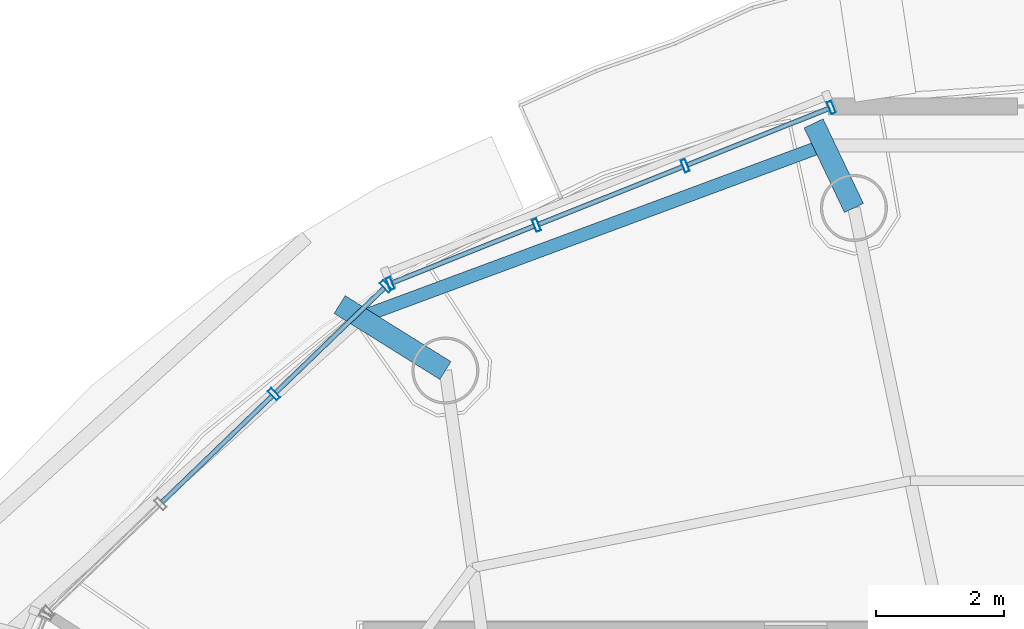
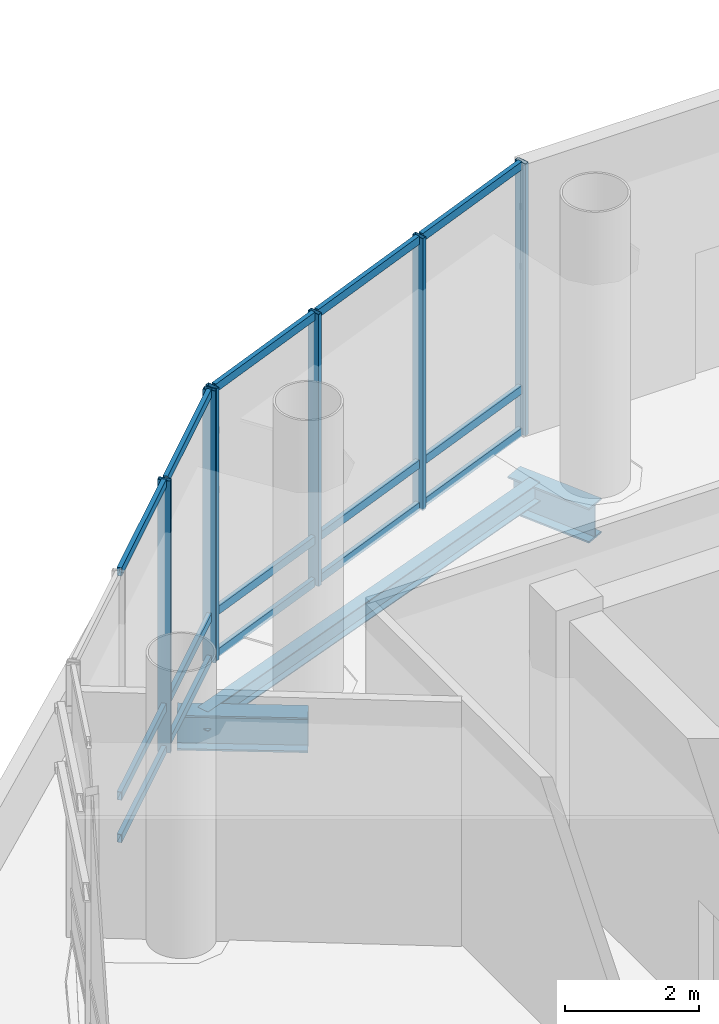
# One storey, part 11 of 22: 21 members, 3 beams, 2 elements without a shape of their own.
"""IFC4 building model written with IfcOpenShell, lengths in metres."""

from ifc_helpers import new_model, si_unit, direction, frame, origin, origin_2d, place, context, subcontext, project, spatial, hollow_rectangle, i_section, extrude, source, transform, mapped, material, material_profile, profile_set, type_object, element, aggregate, save


model = new_model("IFC4")

# Units and contexts
model_context = context("Model", 3, precision=1e-05, world=origin(), true_north=direction((-0.2419218956, 0.970295726276)))
body_context = subcontext(model_context, "Body", "Model", "MODEL_VIEW")
ifc_project = project(units=[si_unit("LENGTHUNIT", "METRE"), si_unit("AREAUNIT", "SQUARE_METRE"), si_unit("VOLUMEUNIT", "CUBIC_METRE"), si_unit("PLANEANGLEUNIT", "RADIAN"), si_unit("MASSUNIT", "GRAM", prefix="KILO")], contexts=[model_context])

# Site, building, storey
site_placement = place(None, origin())
site = spatial("IfcSite", under=ifc_project, at=site_placement, CompositionType="ELEMENT")
building_placement = place(site_placement, origin())
building = spatial("IfcBuilding", under=site, at=building_placement, Name="Cobrevalo Terracotta Tower", CompositionType="ELEMENT")
storey_placement = place(building_placement, frame((0.0, 0.0, 243.0)))
storey = spatial("IfcBuildingStorey", under=building, at=storey_placement, Name="L64", CompositionType="ELEMENT", Elevation=243.0)

# Beams
ifc_material_1 = material(Name="Steel S355", Category="steel")
ifc_material_profile_1 = material_profile(ifc_material_1, i_section(OverallWidth=0.3291015625, OverallDepth=0.635009765625, WebThickness=0.017822265625, FlangeThickness=0.031005859375, at=origin_2d()), Name="W 610x241")
ifc_profile_set_1 = profile_set([ifc_material_profile_1], Name="Steel S355")
beam_type_1 = type_object("IfcBeamType", Name="Structural Beam W 610x241 (Steel S355)", PredefinedType="BEAM", material=ifc_profile_set_1)
beam_1_placement = place(storey_placement, frame((33.9052734375, 44.84619140625, -0.767578125), z_axis=(0.430760396197, -0.902466332374, 0.0), x_axis=(0.902466332374, 0.430760396197, 0.0)))
element("IfcBeam", 1, at=beam_1_placement, inside=storey, type_object=beam_type_1, Name="L64 setback step-link girder 05", PredefinedType="BEAM", context=body_context, shape_type="SweptSolid", body=[
    extrude(i_section(OverallWidth=0.3291015625, OverallDepth=0.635009765625, WebThickness=0.017822265625, FlangeThickness=0.031005859375, at=origin_2d()), origin(), (0.0, 0.0, 1.0), 1.466796875),
])
beam_2_placement = place(storey_placement, frame((26.48291015625, 42.009033203125, -0.767578125), z_axis=(0.848546117474, -0.529121428899, 0.0), x_axis=(0.529121428899, 0.848546117474, 0.0)))
element("IfcBeam", 2, at=beam_2_placement, inside=storey, type_object=beam_type_1, Name="L64 setback step-link girder 06", PredefinedType="BEAM", context=body_context, shape_type="SweptSolid", body=[
    extrude(i_section(OverallWidth=0.3291015625, OverallDepth=0.635009765625, WebThickness=0.017822265625, FlangeThickness=0.031005859375, at=origin_2d()), origin(), (0.0, 0.0, 1.0), 1.951171875),
])
ifc_material_profile_2 = material_profile(ifc_material_1, i_section(OverallWidth=0.205078125, OverallDepth=0.35400390625, WebThickness=0.009521484375, FlangeThickness=0.016845703125, at=origin_2d()), Name="W 360x79")
ifc_profile_set_2 = profile_set([ifc_material_profile_2], Name="Steel S355")
beam_type_2 = type_object("IfcBeamType", Name="Structural Spandrel W 360x79 (Steel S355)", PredefinedType="SPANDREL", material=ifc_profile_set_2)
beam_3_placement = place(storey_placement, frame((34.06884765625, 44.503173828125, -0.626953125), z_axis=(-0.937545996665, -0.347861328892, 0.0), x_axis=(0.347861328892, -0.937545996665, 0.0)))
element("IfcBeam", 3, at=beam_3_placement, inside=storey, type_object=beam_type_2, Name="L64 perimeter ring spandrel 05", PredefinedType="SPANDREL", context=body_context, shape_type="SweptSolid", body=[
    extrude(i_section(OverallWidth=0.205078125, OverallDepth=0.35400390625, WebThickness=0.009521484375, FlangeThickness=0.016845703125, at=origin_2d()), origin(), (0.0, 0.0, 1.0), 7.74755859375),
])

# Curtain wall, members
ifc_material_2 = material(Name="Anodized aluminium", Category="aluminium")
curtain_wall_type = type_object("IfcCurtainWallType", Name="Double-height sky-lobby panoramic curtain wall CW-SK", PredefinedType="NOTDEFINED", material=ifc_material_2)
curtain_wall_1_placement = place(storey_placement, origin())
curtain_wall_1 = element("IfcCurtainWall", 4, at=curtain_wall_1_placement, inside=storey, type_object=curtain_wall_type, Name="L64 curtain wall CW-SK-L64-S05", PredefinedType="NOTDEFINED")
ifc_material_profile_3 = material_profile(ifc_material_2, hollow_rectangle(XDim=0.074951171875, YDim=0.199951171875, WallThickness=0.0048828125, at=origin_2d()), Name="CWM 75x200")
ifc_profile_set_3 = profile_set([ifc_material_profile_3], Name="Anodized aluminium")
member_type_1 = type_object("IfcMemberType", Name="Lower/mid tower unitised mullion 75x200", PredefinedType="MULLION", material=ifc_profile_set_3)
shared_shape_1 = source(origin(), body_context, "Body", "SweptSolid", [
    extrude(hollow_rectangle(XDim=0.074951171875, YDim=0.199951171875, WallThickness=0.0048828125, at=origin_2d()), origin(), (0.0, 0.0, 1.0), 4.93994140625),
])
member_1_placement = place(storey_placement, frame((34.183837890625, 45.096435546875, 0.0), z_axis=(0.0, 0.0, 1.0), x_axis=(-0.928718980883, -0.370784377433, 0.0)))
member_1 = element("IfcMember", 5, at=member_1_placement, type_object=member_type_1, Name="CW-SK-L64-S05 vertical mullion 01", PredefinedType="MULLION", context=body_context, shape_type="MappedRepresentation", body=[
    mapped(shared_shape_1, transform((0.0, 0.0, 0.0), scale=1.0)),
])
member_2_placement = place(storey_placement, frame((31.8935546875, 44.18212890625, 0.0), z_axis=(0.0, 0.0, 1.0), x_axis=(-0.928718980883, -0.370784377433, 0.0)))
member_2 = element("IfcMember", 6, at=member_2_placement, type_object=member_type_1, Name="CW-SK-L64-S05 vertical mullion 02", PredefinedType="MULLION", context=body_context, shape_type="MappedRepresentation", body=[
    mapped(shared_shape_1, transform((0.0, 0.0, 0.0), scale=1.0)),
])
member_3_placement = place(storey_placement, frame((29.566162109375, 43.252685546875, 0.0), z_axis=(0.0, 0.0, 1.0), x_axis=(-0.928718980883, -0.370784377433, 0.0)))
member_3 = element("IfcMember", 7, at=member_3_placement, type_object=member_type_1, Name="CW-SK-L64-S05 vertical mullion 03", PredefinedType="MULLION", context=body_context, shape_type="MappedRepresentation", body=[
    mapped(shared_shape_1, transform((0.0, 0.0, 0.0), scale=1.0)),
])
member_4_placement = place(storey_placement, frame((27.275634765625, 42.33837890625, 0.0), z_axis=(0.0, 0.0, 1.0), x_axis=(-0.928718980883, -0.370784377433, 0.0)))
member_4 = element("IfcMember", 8, at=member_4_placement, type_object=member_type_1, Name="CW-SK-L64-S05 vertical mullion 04", PredefinedType="MULLION", context=body_context, shape_type="MappedRepresentation", body=[
    mapped(shared_shape_1, transform((0.0, 0.0, 0.0), scale=1.0)),
])

curtain_wall_2_placement = place(storey_placement, origin())
curtain_wall_2 = element("IfcCurtainWall", 9, at=curtain_wall_2_placement, inside=storey, type_object=curtain_wall_type, Name="L64 curtain wall CW-SK-L64-S06", PredefinedType="NOTDEFINED")
member_5_placement = place(storey_placement, frame((27.209716796875, 42.2958984375, 0.0), z_axis=(0.0, 0.0, 1.0), x_axis=(-0.71999418085, -0.69398010025, 0.0)))
member_5 = element("IfcMember", 10, at=member_5_placement, type_object=member_type_1, Name="CW-SK-L64-S06 vertical mullion 01", PredefinedType="MULLION", context=body_context, shape_type="MappedRepresentation", body=[
    mapped(shared_shape_1, transform((0.0, 0.0, 0.0), scale=1.0)),
])
member_6_placement = place(storey_placement, frame((25.457275390625, 40.6064453125, 0.0), z_axis=(0.0, 0.0, 1.0), x_axis=(-0.71999418085, -0.69398010025, 0.0)))
member_6 = element("IfcMember", 11, at=member_6_placement, type_object=member_type_1, Name="CW-SK-L64-S06 vertical mullion 02", PredefinedType="MULLION", context=body_context, shape_type="MappedRepresentation", body=[
    mapped(shared_shape_1, transform((0.0, 0.0, 0.0), scale=1.0)),
])
ifc_material_profile_4 = material_profile(ifc_material_2, hollow_rectangle(XDim=0.074951171875, YDim=0.14990234375, WallThickness=0.00439453125, at=origin_2d()), Name="CWT 75x150")
ifc_profile_set_4 = profile_set([ifc_material_profile_4], Name="Anodized aluminium")
member_type_2 = type_object("IfcMemberType", Name="Tower unitised aluminium transom 75x150", PredefinedType="USERDEFINED", material=ifc_profile_set_4)
shared_shape_2 = source(origin(), body_context, "Body", "SweptSolid", [
    extrude(hollow_rectangle(XDim=0.074951171875, YDim=0.14990234375, WallThickness=0.00439453125, at=origin_2d()), origin(), (0.0, 0.0, 1.0), 2.35400390625),
])
member_7_placement = place(storey_placement, frame((27.180908203125, 42.26806640625, 0.050048828125), z_axis=(-0.719951629272, -0.694024244179, 0.0), x_axis=(0.694024244179, -0.719951629272, 0.0)))
member_7 = element("IfcMember", 12, at=member_7_placement, type_object=member_type_2, Name="CW-SK-L64-S06 transom B01-T1", ObjectType="TRANSOM", PredefinedType="USERDEFINED", context=body_context, shape_type="MappedRepresentation", body=[
    mapped(shared_shape_2, transform((0.0, 0.0, 0.0), scale=1.0)),
])
member_8_placement = place(storey_placement, frame((27.180908203125, 42.26806640625, 0.820068359375), z_axis=(-0.719951629272, -0.694024244179, 0.0), x_axis=(0.694024244179, -0.719951629272, 0.0)))
member_8 = element("IfcMember", 13, at=member_8_placement, type_object=member_type_2, Name="CW-SK-L64-S06 transom B01-T2", ObjectType="TRANSOM", PredefinedType="USERDEFINED", context=body_context, shape_type="MappedRepresentation", body=[
    mapped(shared_shape_2, transform((0.0, 0.0, 0.0), scale=1.0)),
])
member_9_placement = place(storey_placement, frame((27.180908203125, 42.26806640625, 4.889892578125), z_axis=(-0.719951629272, -0.694024244179, 0.0), x_axis=(0.694024244179, -0.719951629272, 0.0)))
member_9 = element("IfcMember", 14, at=member_9_placement, type_object=member_type_2, Name="CW-SK-L64-S06 transom B01-T3", ObjectType="TRANSOM", PredefinedType="USERDEFINED", context=body_context, shape_type="MappedRepresentation", body=[
    mapped(shared_shape_2, transform((0.0, 0.0, 0.0), scale=1.0)),
])
shared_shape_3 = source(origin(), body_context, "Body", "SweptSolid", [
    extrude(hollow_rectangle(XDim=0.074951171875, YDim=0.14990234375, WallThickness=0.00439453125, at=origin_2d()), origin(), (0.0, 0.0, 1.0), 2.394287109375),
])
member_10_placement = place(storey_placement, frame((25.428466796875, 40.578857421875, 0.050048828125), z_axis=(-0.719988031024, -0.693986480548, 0.0), x_axis=(0.693986480548, -0.719988031024, 0.0)))
member_10 = element("IfcMember", 15, at=member_10_placement, type_object=member_type_2, Name="CW-SK-L64-S06 transom B02-T1", ObjectType="TRANSOM", PredefinedType="USERDEFINED", context=body_context, shape_type="MappedRepresentation", body=[
    mapped(shared_shape_3, transform((0.0, 0.0, 0.0), scale=1.0)),
])
member_11_placement = place(storey_placement, frame((25.428466796875, 40.578857421875, 0.820068359375), z_axis=(-0.719988031024, -0.693986480548, 0.0), x_axis=(0.693986480548, -0.719988031024, 0.0)))
member_11 = element("IfcMember", 16, at=member_11_placement, type_object=member_type_2, Name="CW-SK-L64-S06 transom B02-T2", ObjectType="TRANSOM", PredefinedType="USERDEFINED", context=body_context, shape_type="MappedRepresentation", body=[
    mapped(shared_shape_3, transform((0.0, 0.0, 0.0), scale=1.0)),
])
member_12_placement = place(storey_placement, frame((25.428466796875, 40.578857421875, 4.889892578125), z_axis=(-0.719988031024, -0.693986480548, 0.0), x_axis=(0.693986480548, -0.719988031024, 0.0)))
member_12 = element("IfcMember", 17, at=member_12_placement, type_object=member_type_2, Name="CW-SK-L64-S06 transom B02-T3", ObjectType="TRANSOM", PredefinedType="USERDEFINED", context=body_context, shape_type="MappedRepresentation", body=[
    mapped(shared_shape_3, transform((0.0, 0.0, 0.0), scale=1.0)),
])
aggregate(curtain_wall_2, [member_5, member_6, member_7, member_8, member_9, member_10, member_11, member_12])

# Member
shared_shape_4 = source(origin(), body_context, "Body", "SweptSolid", [
    extrude(hollow_rectangle(XDim=0.074951171875, YDim=0.14990234375, WallThickness=0.00439453125, at=origin_2d()), origin(), (0.0, 0.0, 1.0), 2.38623046875),
])
member_13_placement = place(storey_placement, frame((34.146728515625, 45.08154296875, 0.050048828125), z_axis=(-0.928716409011, -0.370790819242, 0.0), x_axis=(0.370790819242, -0.928716409011, 0.0)))
member_13 = element("IfcMember", 18, at=member_13_placement, type_object=member_type_2, Name="CW-SK-L64-S05 transom B01-T1", ObjectType="TRANSOM", PredefinedType="USERDEFINED", context=body_context, shape_type="MappedRepresentation", body=[
    mapped(shared_shape_4, transform((0.0, 0.0, 0.0), scale=1.0)),
])

member_14_placement = place(storey_placement, frame((34.146728515625, 45.08154296875, 0.820068359375), z_axis=(-0.928716409011, -0.370790819242, 0.0), x_axis=(0.370790819242, -0.928716409011, 0.0)))
member_14 = element("IfcMember", 19, at=member_14_placement, type_object=member_type_2, Name="CW-SK-L64-S05 transom B01-T2", ObjectType="TRANSOM", PredefinedType="USERDEFINED", context=body_context, shape_type="MappedRepresentation", body=[
    mapped(shared_shape_4, transform((0.0, 0.0, 0.0), scale=1.0)),
])

member_15_placement = place(storey_placement, frame((34.146728515625, 45.08154296875, 4.889892578125), z_axis=(-0.928716409011, -0.370790819242, 0.0), x_axis=(0.370790819242, -0.928716409011, 0.0)))
member_15 = element("IfcMember", 20, at=member_15_placement, type_object=member_type_2, Name="CW-SK-L64-S05 transom B01-T3", ObjectType="TRANSOM", PredefinedType="USERDEFINED", context=body_context, shape_type="MappedRepresentation", body=[
    mapped(shared_shape_4, transform((0.0, 0.0, 0.0), scale=1.0)),
])

member_16_placement = place(storey_placement, frame((29.529052734375, 43.238037109375, 0.050048828125), z_axis=(-0.928716409011, -0.370790819242, 0.0), x_axis=(0.370790819242, -0.928716409011, 0.0)))
member_16 = element("IfcMember", 21, at=member_16_placement, type_object=member_type_2, Name="CW-SK-L64-S05 transom B03-T1", ObjectType="TRANSOM", PredefinedType="USERDEFINED", context=body_context, shape_type="MappedRepresentation", body=[
    mapped(shared_shape_4, transform((0.0, 0.0, 0.0), scale=1.0)),
])

member_17_placement = place(storey_placement, frame((29.529052734375, 43.238037109375, 0.820068359375), z_axis=(-0.928716409011, -0.370790819242, 0.0), x_axis=(0.370790819242, -0.928716409011, 0.0)))
member_17 = element("IfcMember", 22, at=member_17_placement, type_object=member_type_2, Name="CW-SK-L64-S05 transom B03-T2", ObjectType="TRANSOM", PredefinedType="USERDEFINED", context=body_context, shape_type="MappedRepresentation", body=[
    mapped(shared_shape_4, transform((0.0, 0.0, 0.0), scale=1.0)),
])

member_18_placement = place(storey_placement, frame((29.529052734375, 43.238037109375, 4.889892578125), z_axis=(-0.928716409011, -0.370790819242, 0.0), x_axis=(0.370790819242, -0.928716409011, 0.0)))
member_18 = element("IfcMember", 23, at=member_18_placement, type_object=member_type_2, Name="CW-SK-L64-S05 transom B03-T3", ObjectType="TRANSOM", PredefinedType="USERDEFINED", context=body_context, shape_type="MappedRepresentation", body=[
    mapped(shared_shape_4, transform((0.0, 0.0, 0.0), scale=1.0)),
])

shared_shape_5 = source(origin(), body_context, "Body", "SweptSolid", [
    extrude(hollow_rectangle(XDim=0.074951171875, YDim=0.14990234375, WallThickness=0.00439453125, at=origin_2d()), origin(), (0.0, 0.0, 1.0), 2.426025390625),
])
member_19_placement = place(storey_placement, frame((31.8564453125, 44.167236328125, 0.050048828125), z_axis=(-0.928705532201, -0.370818061129, 0.0), x_axis=(0.370818061129, -0.928705532201, 0.0)))
member_19 = element("IfcMember", 24, at=member_19_placement, type_object=member_type_2, Name="CW-SK-L64-S05 transom B02-T1", ObjectType="TRANSOM", PredefinedType="USERDEFINED", context=body_context, shape_type="MappedRepresentation", body=[
    mapped(shared_shape_5, transform((0.0, 0.0, 0.0), scale=1.0)),
])

member_20_placement = place(storey_placement, frame((31.8564453125, 44.167236328125, 0.820068359375), z_axis=(-0.928705532201, -0.370818061129, 0.0), x_axis=(0.370818061129, -0.928705532201, 0.0)))
member_20 = element("IfcMember", 25, at=member_20_placement, type_object=member_type_2, Name="CW-SK-L64-S05 transom B02-T2", ObjectType="TRANSOM", PredefinedType="USERDEFINED", context=body_context, shape_type="MappedRepresentation", body=[
    mapped(shared_shape_5, transform((0.0, 0.0, 0.0), scale=1.0)),
])

member_21_placement = place(storey_placement, frame((31.8564453125, 44.167236328125, 4.889892578125), z_axis=(-0.928705532201, -0.370818061129, 0.0), x_axis=(0.370818061129, -0.928705532201, 0.0)))
member_21 = element("IfcMember", 26, at=member_21_placement, type_object=member_type_2, Name="CW-SK-L64-S05 transom B02-T3", ObjectType="TRANSOM", PredefinedType="USERDEFINED", context=body_context, shape_type="MappedRepresentation", body=[
    mapped(shared_shape_5, transform((0.0, 0.0, 0.0), scale=1.0)),
])

aggregate(curtain_wall_1, [member_1, member_2, member_3, member_4, member_13, member_14, member_15, member_19, member_20, member_21, member_16, member_17, member_18])

save(model, "model.ifc")
